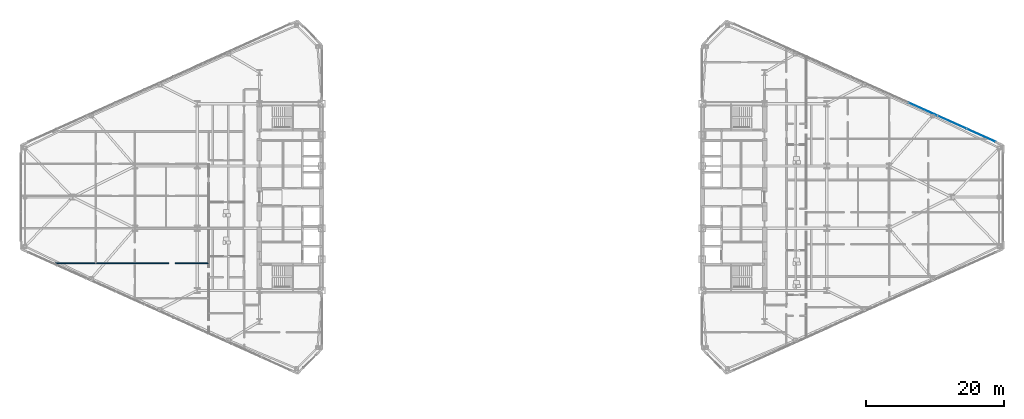
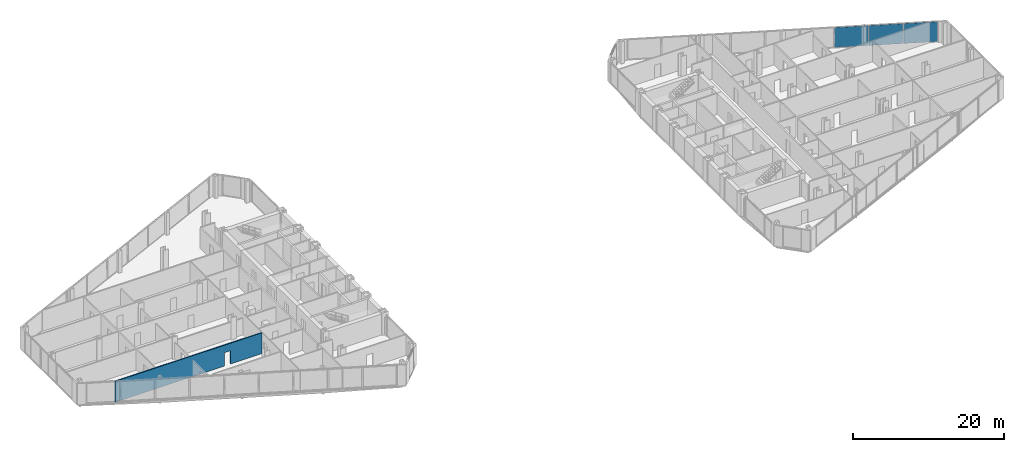
# One storey, part 18 of 27: 3 plates, 1 wall, 1 opening, 1 element without a shape of its own.
"""IFC4 building model written with IfcOpenShell, lengths in metres."""

from ifc_helpers import new_model, si_unit, direction, frame, frame_2d, origin, origin_2d, place, context, subcontext, project, spatial, rectangle, extrude, source, transform, mapped, material, layer, layer_set, type_object, type_shapes, element, aggregate, save


model = new_model("IFC4")

# Units and contexts
model_context = context("Model", 3, precision=1e-05, world=origin(), true_north=direction((0.0, 1.0)))
body_context = subcontext(model_context, "Body", "Model", "MODEL_VIEW")
ifc_project = project(units=[si_unit("LENGTHUNIT", "METRE"), si_unit("AREAUNIT", "SQUARE_METRE"), si_unit("VOLUMEUNIT", "CUBIC_METRE"), si_unit("PLANEANGLEUNIT", "RADIAN"), si_unit("MASSUNIT", "GRAM", prefix="KILO")], contexts=[model_context])

# Site, building, storey
site_placement = place(None, origin())
site = spatial("IfcSite", under=ifc_project, at=site_placement, CompositionType="ELEMENT")
building_placement = place(site_placement, origin())
building = spatial("IfcBuilding", under=site, at=building_placement, Name="Seokmaru Belvedere", CompositionType="ELEMENT")
storey_placement = place(building_placement, frame((0.0, 0.0, 65.699951171875)))
storey = spatial("IfcBuildingStorey", under=building, at=storey_placement, Name="L17", CompositionType="ELEMENT", Elevation=65.699951171875)

# Curtain wall, plates
ifc_material_1 = material(Name="Bronze Triple Insulating Glass", Category="glass")
ifc_layer_1 = layer(ifc_material_1, 0.195068359375)
ifc_layer_set_1 = layer_set([ifc_layer_1], Name="Bronze Triple Insulating Glass")
curtain_wall_type = type_object("IfcCurtainWallType", Name="Lower-Mid Tapered Curtain Wall System CW-3", PredefinedType="NOTDEFINED", material=ifc_layer_set_1)
curtain_wall_placement = place(storey_placement, origin())
curtain_wall = element("IfcCurtainWall", 1, at=curtain_wall_placement, inside=storey, type_object=curtain_wall_type, Name="L17 Curtain Wall EF3", PredefinedType="NOTDEFINED")
ifc_layer_2 = layer(ifc_material_1, 0.035888671875)
ifc_layer_set_2 = layer_set([ifc_layer_2], Name="Bronze Triple Insulating Glass")
plate_type = type_object("IfcPlateType", Name="Bronze Triple Vision Glazing Panel 36", PredefinedType="CURTAIN_PANEL", material=ifc_layer_set_2)
shared_shape_1 = source(origin(), body_context, "Body", "SweptSolid", [
    extrude(rectangle(XDim=4.51318359375, YDim=0.035888671875, at=origin_2d()), origin(), (0.0, 0.0, 1.0), 3.239990234375),
])
plate_1_placement = place(storey_placement, frame((67.82958984375, 8.926513671875, 0.06982421875), z_axis=(0.0, 0.0, 1.0), x_axis=(-0.91192111353, 0.41036554765, 0.0)))
plate_1 = element("IfcPlate", 2, at=plate_1_placement, type_object=plate_type, Name="CW:L17:EF3 Glazing Panel 1-1", PredefinedType="CURTAIN_PANEL", context=body_context, shape_type="MappedRepresentation", body=[
    mapped(shared_shape_1, transform((0.0, 0.0, 0.0), scale=1.0)),
])
shared_shape_2 = source(origin(), body_context, "Body", "SweptSolid", [
    extrude(rectangle(XDim=4.548095703125, YDim=0.035888671875, at=origin_2d()), origin(), (0.0, 0.0, 1.0), 3.239990234375),
])
type_shapes(plate_type, [shared_shape_1, shared_shape_2])
plate_2_placement = place(storey_placement, frame((63.63427734375, 10.814697265625, 0.06982421875), z_axis=(0.0, 0.0, 1.0), x_axis=(-0.91192111353, 0.41036554765, 0.0)))
plate_2 = element("IfcPlate", 3, at=plate_2_placement, type_object=plate_type, Name="CW:L17:EF3 Glazing Panel 2-1", PredefinedType="CURTAIN_PANEL", context=body_context, shape_type="MappedRepresentation", body=[
    mapped(shared_shape_2, transform((0.0, 0.0, 0.0), scale=1.0)),
])
plate_3_placement = place(storey_placement, frame((59.4228515625, 12.709716796875, 0.06982421875), z_axis=(0.0, 0.0, 1.0), x_axis=(-0.91192111353, 0.41036554765, 0.0)))
plate_3 = element("IfcPlate", 4, at=plate_3_placement, type_object=plate_type, Name="CW:L17:EF3 Glazing Panel 3-1", PredefinedType="CURTAIN_PANEL", context=body_context, shape_type="MappedRepresentation", body=[
    mapped(shared_shape_2, transform((0.0, 0.0, 0.0), scale=1.0)),
])
aggregate(curtain_wall, [plate_1, plate_2, plate_3])

# Wall, opening
ifc_material_2 = material(Name="Fire-Rated Gypsum Shaftwall")
ifc_layer_3 = layer(ifc_material_2, 0.14990234375)
ifc_layer_set_3 = layer_set([ifc_layer_3], Name="Fire-Rated Gypsum Shaftwall")
wall_type = type_object("IfcWallType", Name="Apartment Fire-Acoustic Room Partition 150", PredefinedType="PARTITIONING", material=ifc_layer_set_3)
wall_placement = place(storey_placement, frame((-66.428955078125, -9.570068359375, 0.0), z_axis=(0.0, 0.0, 1.0), x_axis=(1.0, 0.0, 0.0)))
wall = element("IfcWall", 5, at=wall_placement, inside=storey, type_object=wall_type, Name="L17 Interior Partition 012", PredefinedType="PARTITIONING", context=body_context, shape_type="SweptSolid", body=[
    extrude(rectangle(XDim=22.529052734375, YDim=0.14990234375, at=frame_2d((11.2646484375, 0.0))), origin(), (0.0, 0.0, 1.0), 3.380126953125),
])
opening_placement = place(wall_placement, frame((16.779052734375, 0.0, 0.0)))
element("IfcOpeningElement", 6, at=opening_placement, cuts=wall, Name="L17 Cased Opening 007", PredefinedType="OPENING", context=body_context, shape_type="SweptSolid", body=[
    extrude(rectangle(XDim=0.949951171875, YDim=2.14990234375, at=frame_2d((0.47509765625, 1.074951171875))), frame((0.0, 0.0849609375, 0.0), z_axis=(0.0, -1.0, 0.0), x_axis=(1.0, 0.0, 0.0)), (0.0, 0.0, 1.0), 0.169921875),
])

save(model, "model.ifc")
